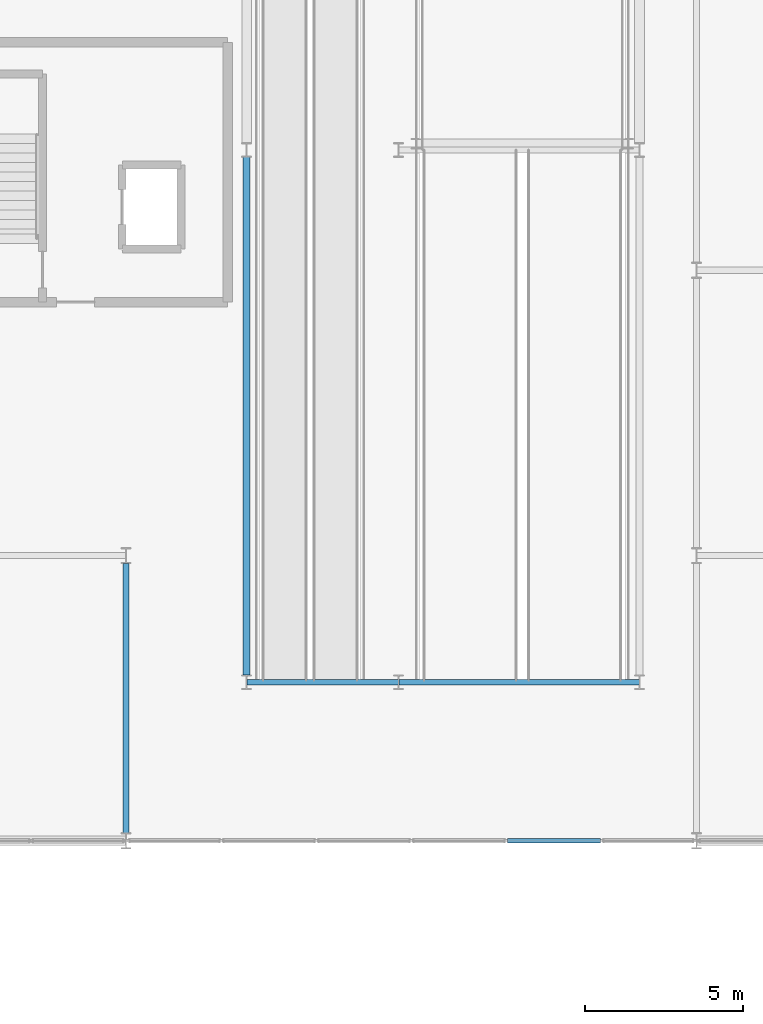
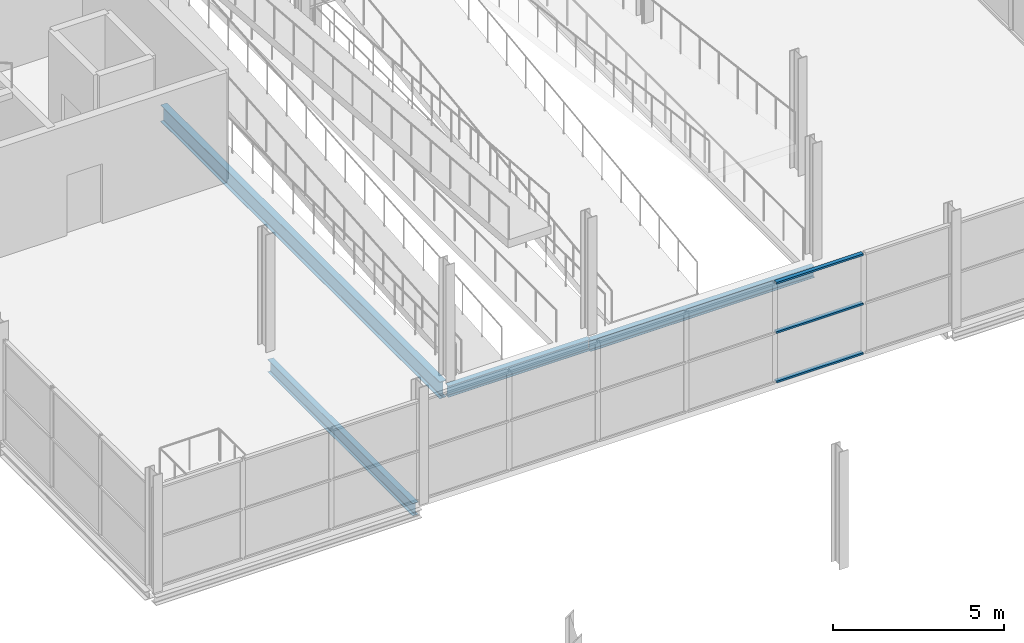
# One storey, part 58 of 132: 4 beams, 3 members, 1 element without a shape of its own.
"""IFC4 building model written with IfcOpenShell, lengths in metres."""

import ifcopenshell
import ifcopenshell.guid

model = None  # the IFC model being written
_history = None  # IfcOwnerHistory: only IFC2X3 demands one
_inside = {}  # id of a spatial element -> (the spatial element, [elements in it])
_under = {}  # id of a project, library or spatial element -> (it, [spatial elements below it])
_declared = {}  # id of a project -> (the project, [libraries it declares])
_typed = {}  # id of a type object -> (the type object, [elements of that type])
_made_of = {}  # id of a material, layer set ... -> (it, [elements and type objects made of it])


def new_model(schema):
    """Start an empty IFC model of exactly this schema.

    Asked for "IFC4X3", IfcOpenShell would pick the latest addendum, in which some entities
    have other attributes; the version numbers below select the first issue.
    IFC2X3 requires an IfcOwnerHistory on every rooted entity: one is made here for all.
    """
    global model, _history
    if schema == "IFC4X3":
        model = ifcopenshell.file(schema_version=(4, 3, 0, 0))
    else:
        model = ifcopenshell.file(schema=schema)
    _inside.clear()
    _under.clear()
    _declared.clear()
    _typed.clear()
    _made_of.clear()
    _history = None
    if model.schema == "IFC2X3":
        org = make("IfcOrganization", Name="unknown")
        user = make(
            "IfcPersonAndOrganization",
            ThePerson=make("IfcPerson", FamilyName="unknown"),
            TheOrganization=org,
        )
        app = make(
            "IfcApplication",
            ApplicationDeveloper=org,
            Version="unknown",
            ApplicationFullName="unknown",
            ApplicationIdentifier="unknown",
        )
        _history = make(
            "IfcOwnerHistory",
            OwningUser=user,
            OwningApplication=app,
            ChangeAction="ADDED",
            CreationDate=0,
        )
    return model


def make(cls, **values):
    """One entity of the class cls with the attributes given. An attribute that is None is left unset."""
    return model.create_entity(
        cls, **{name: value for name, value in values.items() if value is not None}
    )


def rooted(cls, **values):
    """An entity with a GlobalId (a new one), such as an element, a storey or a relation."""
    return make(cls, GlobalId=ifcopenshell.guid.new(), OwnerHistory=_history, **values)


def si_unit(unit_type, name, prefix=None):
    """IfcSIUnit, for example si_unit("LENGTHUNIT", "METRE", prefix="MILLI")."""
    return make("IfcSIUnit", UnitType=unit_type, Prefix=prefix, Name=name)


def assignment(units):
    """IfcUnitAssignment: the units of a project."""
    return None if units is None else make("IfcUnitAssignment", Units=units)


def point(xyz):
    """IfcCartesianPoint."""
    return None if xyz is None else make("IfcCartesianPoint", Coordinates=xyz)


def direction(xyz):
    """IfcDirection."""
    return None if xyz is None else make("IfcDirection", DirectionRatios=xyz)


def frame(location, z_axis=None, x_axis=None):
    """IfcAxis2Placement3D, a coordinate frame: its origin and axes. An axis left out is left unset."""
    return make(
        "IfcAxis2Placement3D",
        Location=point(location),
        Axis=direction(z_axis),
        RefDirection=direction(x_axis),
    )


def frame_2d(location, x_axis=None):
    """IfcAxis2Placement2D, a coordinate frame in the plane: its origin and x axis."""
    return make(
        "IfcAxis2Placement2D", Location=point(location), RefDirection=direction(x_axis)
    )


def origin():
    """The frame at (0, 0, 0) with its axes left unset."""
    return frame((0.0, 0.0, 0.0))


def origin_2d():
    """The frame at (0, 0) in the plane with its x axis left unset."""
    return frame_2d((0.0, 0.0))


def place(relative_to, where):
    """IfcLocalPlacement: puts the frame where relative to a parent placement (None: the world)."""
    return make(
        "IfcLocalPlacement", PlacementRelTo=relative_to, RelativePlacement=where
    )


def context(
    kind, dimensions, precision=None, world=None, true_north=None, identifier=None
):
    """IfcGeometricRepresentationContext, for example the 3D "Model" context."""
    return make(
        "IfcGeometricRepresentationContext",
        ContextIdentifier=identifier,
        ContextType=kind,
        CoordinateSpaceDimension=dimensions,
        Precision=precision,
        WorldCoordinateSystem=world,
        TrueNorth=true_north,
    )


def subcontext(parent, identifier, kind, view, scale=None):
    """IfcGeometricRepresentationSubContext, for example "Body" below "Model"."""
    return make(
        "IfcGeometricRepresentationSubContext",
        ContextIdentifier=identifier,
        ContextType=kind,
        ParentContext=parent,
        TargetScale=scale,
        TargetView=view,
    )


def project(units=None, contexts=None):
    """IfcProject with its units and contexts."""
    return rooted(
        "IfcProject",
        Name="project",
        RepresentationContexts=contexts,
        UnitsInContext=assignment(units),
    )


def spatial(cls, under=None, at=None, **own):
    """A site, building, storey or space (cls), placed at a placement, below another one or the project."""
    s = rooted(cls, ObjectPlacement=at, **own)
    if under is not None:
        _under.setdefault(under.id(), (under, []))[1].append(s)
    return s


def profile(cls, at=None, kind="AREA", **sizes):
    """A parametric profile (cls). Its sizes go by their IFC names, for example OverallWidth=200.0."""
    return make(cls, ProfileType=kind, Position=at, **sizes)


def hollow_rectangle(**sizes):
    """IfcRectangleHollowProfileDef."""
    return profile("IfcRectangleHollowProfileDef", **sizes)


def i_section(**sizes):
    """IfcIShapeProfileDef."""
    return profile("IfcIShapeProfileDef", **sizes)


def extrude(swept, where, along, depth):
    """IfcExtrudedAreaSolid: the profile swept, set in the frame where, extruded along a direction by depth."""
    return make(
        "IfcExtrudedAreaSolid",
        SweptArea=swept,
        Position=where,
        ExtrudedDirection=direction(along),
        Depth=depth,
    )


def shape(context_of_items, identifier, shape_type, items):
    """IfcShapeRepresentation: the items that make up one representation, for example the "Body"."""
    return make(
        "IfcShapeRepresentation",
        ContextOfItems=context_of_items,
        RepresentationIdentifier=identifier,
        RepresentationType=shape_type,
        Items=items,
    )


def material(Name=None, Category=None):
    """IfcMaterial."""
    return make("IfcMaterial", Name=Name, Category=Category)


def layer(
    of_material, thickness, ventilated=None, Name=None, Category=None, Priority=None
):
    """IfcMaterialLayer: one layer of a wall or slab, of a material (None: an air gap)."""
    return make(
        "IfcMaterialLayer",
        Material=of_material,
        LayerThickness=thickness,
        IsVentilated=ventilated,
        Name=Name,
        Category=Category,
        Priority=Priority,
    )


def layer_set(layers, Name=None):
    """IfcMaterialLayerSet."""
    return make("IfcMaterialLayerSet", MaterialLayers=layers, LayerSetName=Name)


def material_profile(
    of_material, cross_section, Name=None, Category=None, Priority=None
):
    """IfcMaterialProfile: a cross section and its material."""
    return make(
        "IfcMaterialProfile",
        Name=Name,
        Material=of_material,
        Profile=cross_section,
        Priority=Priority,
        Category=Category,
    )


def profile_set(profiles, Name=None, composite=None):
    """IfcMaterialProfileSet."""
    return make(
        "IfcMaterialProfileSet",
        Name=Name,
        MaterialProfiles=profiles,
        CompositeProfile=composite,
    )


def made_of(thing, what):
    """Note that an element or type object is made of a material, layer set ...; save() writes the relation."""
    if what is not None:
        _made_of.setdefault(what.id(), (what, []))[1].append(thing)
    return thing


def type_object(cls, material=None, **own):
    """A type object (cls), such as IfcWallType, which elements share."""
    return made_of(rooted(cls, **own), material)


def element(
    cls,
    number,
    at=None,
    inside=None,
    cuts=None,
    type_object=None,
    material=None,
    context=None,
    identifier="Body",
    shape_type=None,
    held_by="IfcProductDefinitionShape",
    body=None,
    shapes=None,
    **own,
):
    """One element of the class cls, such as IfcWall. Its Tag is "e" and its number.

    at: its placement. inside: the storey or other place that contains it. cuts: it is an
    opening in that element (IfcRelVoidsElement). A single representation is given by context,
    identifier, shape_type and body (its items); several are given by shapes. held_by: the class
    of the entity that holds the representations. save() writes the other relations.
    """
    e = rooted(cls, Tag="e%d" % number, ObjectPlacement=at, **own)
    if body is not None:
        shapes = [shape(context, identifier, shape_type, body)]
    if shapes is not None:
        e.Representation = make(held_by, Representations=shapes)
    if inside is not None:
        _inside.setdefault(inside.id(), (inside, []))[1].append(e)
    if cuts is not None:
        rooted(
            "IfcRelVoidsElement", RelatingBuildingElement=cuts, RelatedOpeningElement=e
        )
    if type_object is not None:
        _typed.setdefault(type_object.id(), (type_object, []))[1].append(e)
    return made_of(e, material)


def aggregate(whole, parts):
    """IfcRelAggregates: a whole, such as a stair, and the parts it consists of."""
    return rooted("IfcRelAggregates", RelatingObject=whole, RelatedObjects=parts)


def save(model, path):
    """Write the relations noted so far, then the file.

    IfcRelAggregates (storeys below a building ...), IfcRelContainedInSpatialStructure (elements
    in a storey), IfcRelDefinesByType, IfcRelAssociatesMaterial and IfcRelDeclares: one each for
    every whole, place, type object, material and project.
    """
    for whole, parts in _under.values():
        aggregate(whole, parts)
    for where, things in _inside.values():
        rooted(
            "IfcRelContainedInSpatialStructure",
            RelatedElements=things,
            RelatingStructure=where,
        )
    for kind, things in _typed.values():
        rooted("IfcRelDefinesByType", RelatedObjects=things, RelatingType=kind)
    for what, things in _made_of.values():
        rooted("IfcRelAssociatesMaterial", RelatedObjects=things, RelatingMaterial=what)
    for by, libraries in _declared.values():
        rooted("IfcRelDeclares", RelatingContext=by, RelatedDefinitions=libraries)
    model.write(path)


model = new_model("IFC4")

# Units and contexts
model_context = context("Model", 3, precision=1e-05, world=origin(), true_north=direction((0.0, 1.0)))
body_context = subcontext(model_context, "Body", "Model", "MODEL_VIEW")
ifc_project = project(units=[si_unit("LENGTHUNIT", "METRE"), si_unit("AREAUNIT", "SQUARE_METRE"), si_unit("VOLUMEUNIT", "CUBIC_METRE"), si_unit("PLANEANGLEUNIT", "RADIAN"), si_unit("MASSUNIT", "GRAM", prefix="KILO")], contexts=[model_context])

# Site, building, storey
site_placement = place(None, origin())
site = spatial("IfcSite", under=ifc_project, at=site_placement, CompositionType="ELEMENT")
building_placement = place(site_placement, origin())
building = spatial("IfcBuilding", under=site, at=building_placement, Name="Deido Ridge Mobility Hub", CompositionType="ELEMENT")
storey_placement = place(building_placement, frame((0.0, 0.0, 8.39990234375)))
storey = spatial("IfcBuildingStorey", under=building, at=storey_placement, Name="L02", CompositionType="ELEMENT", Elevation=8.39990234375)

# Beams
ifc_material_1 = material(Name="Steel S355J2 EN 10025-2", Category="steel")
ifc_material_profile_1 = material_profile(ifc_material_1, i_section(OverallWidth=0.179931640625, OverallDepth=0.39990234375, WebThickness=0.008544921875, FlangeThickness=0.013427734375, FilletRadius=0.02099609375, at=origin_2d()), Name="IPE 400")
ifc_profile_set_1 = profile_set([ifc_material_profile_1], Name="Steel S355J2 EN 10025-2")
beam_type_1 = type_object("IfcBeamType", Name="BM-IPE400", PredefinedType="BEAM", material=ifc_profile_set_1)
beam_1_placement = place(storey_placement, frame((84.806884765625, 50.0, -0.454833984375), z_axis=(1.0, 0.0, 0.0), x_axis=(0.0, 1.0, 0.0)))
element("IfcBeam", 1, at=beam_1_placement, inside=storey, type_object=beam_type_1, Name="Floor beam B5", PredefinedType="BEAM", context=body_context, shape_type="SweptSolid", body=[
    extrude(i_section(OverallWidth=0.179931640625, OverallDepth=0.39990234375, WebThickness=0.008544921875, FlangeThickness=0.013427734375, FilletRadius=0.02099609375, at=origin_2d()), origin(), (0.0, 0.0, 1.0), 4.7861328125),
])
beam_2_placement = place(storey_placement, frame((89.60693359375, 50.0, -0.5), z_axis=(1.0, 0.0, 0.0), x_axis=(0.0, 1.0, 0.0)))
element("IfcBeam", 2, at=beam_2_placement, inside=storey, type_object=beam_type_1, Name="Floor beam B5", PredefinedType="BEAM", context=body_context, shape_type="SweptSolid", body=[
    extrude(i_section(OverallWidth=0.179931640625, OverallDepth=0.39990234375, WebThickness=0.008544921875, FlangeThickness=0.013427734375, FilletRadius=0.02099609375, at=origin_2d()), origin(), (0.0, 0.0, 1.0), 7.586181640625),
])
ifc_material_profile_2 = material_profile(ifc_material_1, i_section(OverallWidth=0.18994140625, OverallDepth=0.449951171875, WebThickness=0.009521484375, FlangeThickness=0.0146484375, FilletRadius=0.02099609375, at=origin_2d()), Name="IPE 450")
ifc_profile_set_2 = profile_set([ifc_material_profile_2], Name="Steel S355J2 EN 10025-2")
beam_type_2 = type_object("IfcBeamType", Name="BM-IPE450", PredefinedType="BEAM", material=ifc_profile_set_2)
beam_3_placement = place(storey_placement, frame((81.0, 45.25, -0.47998046875), z_axis=(0.0, 1.0, 0.0), x_axis=(-1.0, 0.0, 0.0)))
element("IfcBeam", 3, at=beam_3_placement, inside=storey, type_object=beam_type_2, Name="Floor beam B4", PredefinedType="BEAM", context=body_context, shape_type="SweptSolid", body=[
    extrude(i_section(OverallWidth=0.18994140625, OverallDepth=0.449951171875, WebThickness=0.009521484375, FlangeThickness=0.0146484375, FilletRadius=0.02099609375, at=origin_2d()), origin(), (0.0, 0.0, 1.0), 8.5),
])
ifc_material_profile_3 = material_profile(ifc_material_1, i_section(OverallWidth=0.219970703125, OverallDepth=0.60009765625, WebThickness=0.011962890625, FlangeThickness=0.01904296875, FilletRadius=0.02392578125, at=origin_2d()), Name="IPE 600")
ifc_profile_set_3 = profile_set([ifc_material_profile_3], Name="Steel S355J2 EN 10025-2")
beam_type_3 = type_object("IfcBeamType", Name="BM-IPE600", PredefinedType="BEAM", material=ifc_profile_set_3)
beam_4_placement = place(storey_placement, frame((84.800048828125, 50.22509765625, -0.554931640625), z_axis=(0.0, 1.0, 0.0), x_axis=(-1.0, 0.0, 0.0)))
element("IfcBeam", 4, at=beam_4_placement, inside=storey, type_object=beam_type_3, Name="Floor beam B1", PredefinedType="BEAM", context=body_context, shape_type="SweptSolid", body=[
    extrude(i_section(OverallWidth=0.219970703125, OverallDepth=0.60009765625, WebThickness=0.011962890625, FlangeThickness=0.01904296875, FilletRadius=0.02392578125, at=origin_2d()), origin(), (0.0, 0.0, 1.0), 16.349853515625),
])

# Curtain wall, members
ifc_material_2 = material(Name="Anodised aluminium EN AW-6063 T6", Category="aluminium")
ifc_layer = layer(ifc_material_2, 0.16796875, Name="Anodised aluminium EN AW-6063 T6")
ifc_layer_set = layer_set([ifc_layer], Name="Anodised aluminium EN AW-6063 T6")
curtain_wall_type = type_object("IfcCurtainWallType", Name="CW-GS-4", PredefinedType="USERDEFINED", material=ifc_layer_set)
curtain_wall_placement = place(storey_placement, origin())
curtain_wall = element("IfcCurtainWall", 5, at=curtain_wall_placement, inside=storey, type_object=curtain_wall_type, Name="Unitised curtain wall GS4", ObjectType="GLAZED SCREEN", PredefinedType="USERDEFINED")
ifc_material_profile_4 = material_profile(ifc_material_2, hollow_rectangle(XDim=0.135009765625, YDim=0.06494140625, WallThickness=0.00390625, at=origin_2d()), Name="RHS 135x65x4")
ifc_profile_set_4 = profile_set([ifc_material_profile_4], Name="Anodised aluminium EN AW-6063 T6")
member_type = type_object("IfcMemberType", Name="MEM-TRN-135X65", PredefinedType="USERDEFINED", material=ifc_profile_set_4)
member_1_placement = place(storey_placement, frame((93.030029296875, 45.0, 0.03271484375), z_axis=(1.0, 0.0, 0.0), x_axis=(0.0, 1.0, 0.0)))
member_1 = element("IfcMember", 6, at=member_1_placement, type_object=member_type, Name="GS4 transom 5.1", ObjectType="TRANSOM", PredefinedType="USERDEFINED", context=body_context, shape_type="SweptSolid", body=[
    extrude(hollow_rectangle(XDim=0.135009765625, YDim=0.06494140625, WallThickness=0.00390625, at=origin_2d()), origin(), (0.0, 0.0, 1.0), 2.9326171875),
])
member_2_placement = place(storey_placement, frame((93.030029296875, 45.0, 1.800048828125), z_axis=(1.0, 0.0, 0.0), x_axis=(0.0, 1.0, 0.0)))
member_2 = element("IfcMember", 7, at=member_2_placement, type_object=member_type, Name="GS4 transom 5.2", ObjectType="TRANSOM", PredefinedType="USERDEFINED", context=body_context, shape_type="SweptSolid", body=[
    extrude(hollow_rectangle(XDim=0.135009765625, YDim=0.06494140625, WallThickness=0.00390625, at=origin_2d()), origin(), (0.0, 0.0, 1.0), 2.9326171875),
])
member_3_placement = place(storey_placement, frame((93.030029296875, 45.0, 3.567626953125), z_axis=(1.0, 0.0, 0.0), x_axis=(0.0, 1.0, 0.0)))
member_3 = element("IfcMember", 8, at=member_3_placement, type_object=member_type, Name="GS4 transom 5.3", ObjectType="TRANSOM", PredefinedType="USERDEFINED", context=body_context, shape_type="SweptSolid", body=[
    extrude(hollow_rectangle(XDim=0.135009765625, YDim=0.06494140625, WallThickness=0.00390625, at=origin_2d()), origin(), (0.0, 0.0, 1.0), 2.9326171875),
])
aggregate(curtain_wall, [member_1, member_2, member_3])

save(model, "model.ifc")
